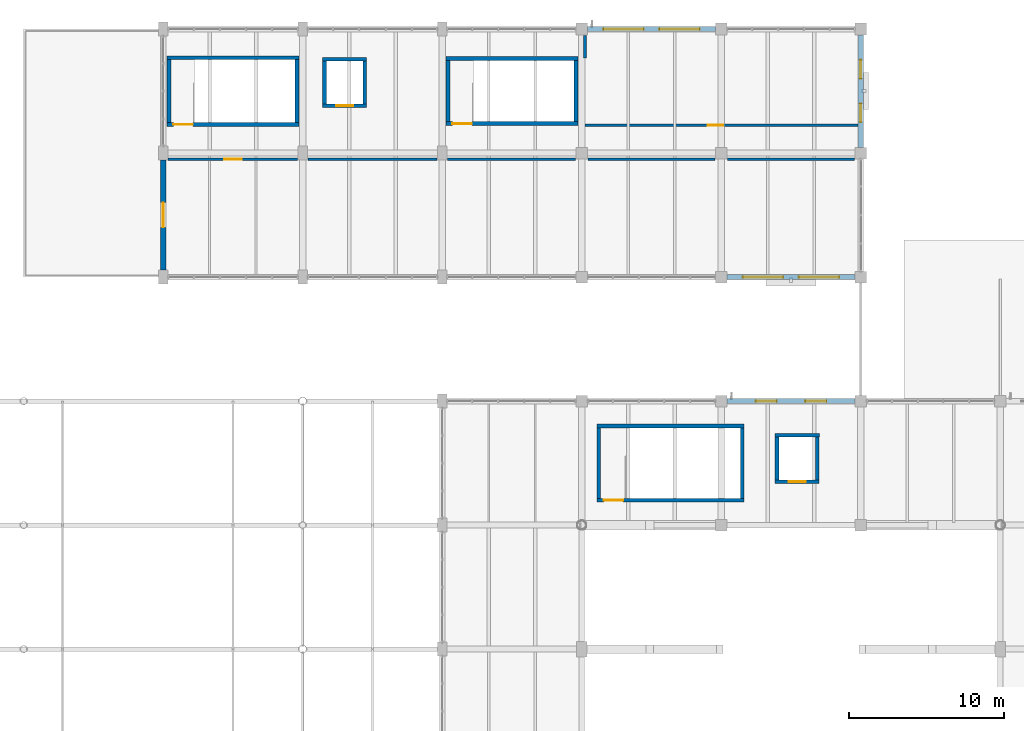
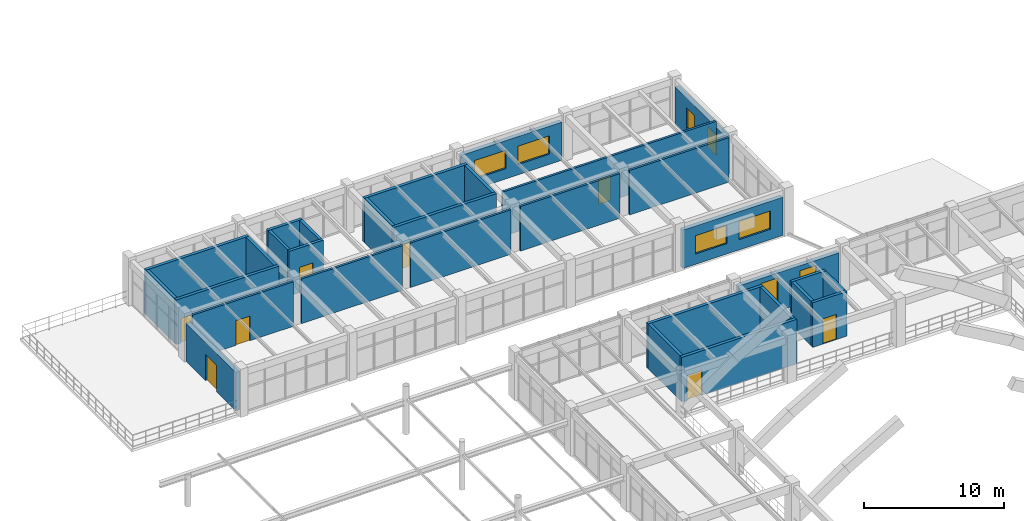
# One storey, part 126 of 148: 32 walls, 8 doors, 8 windows, 16 openings.
"""IFC4 building model written with IfcOpenShell, lengths in metres."""

from ifc_helpers import new_model, si_unit, derived_unit, direction, frame, frame_2d, origin, place, context, subcontext, project, spatial, rectangle, extrude, material, layer, layer_set, type_object, element, fill, save


model = new_model("IFC4")

# Units and contexts
model_context = context("Model", 3, precision=1e-05, world=origin(), true_north=direction((0.0, 1.0)))
body_context = subcontext(model_context, "Body", "Model", "MODEL_VIEW")
ifc_project = project(units=[si_unit("LENGTHUNIT", "METRE"), si_unit("AREAUNIT", "SQUARE_METRE"), si_unit("VOLUMEUNIT", "CUBIC_METRE"), si_unit("PLANEANGLEUNIT", "RADIAN"), si_unit("MASSUNIT", "GRAM", prefix="KILO"), derived_unit("THERMALTRANSMITTANCEUNIT", [(si_unit("MASSUNIT", "GRAM", prefix="KILO"), 1), (si_unit("TIMEUNIT", "SECOND"), -3), (si_unit("THERMODYNAMICTEMPERATUREUNIT", "KELVIN"), -1)])], contexts=[model_context])

# Site, building, storey
site_placement = place(None, origin())
site = spatial("IfcSite", under=ifc_project, at=site_placement, CompositionType="ELEMENT")
building_placement = place(site_placement, origin())
building = spatial("IfcBuilding", under=site, at=building_placement, Name="Zhenchuan Archway Interchange", CompositionType="ELEMENT")
storey_placement = place(building_placement, frame((0.0, 0.0, 10.199951171875)))
storey = spatial("IfcBuildingStorey", under=building, at=storey_placement, Name="L02", CompositionType="ELEMENT", Elevation=10.199951171875)

# Wall, openings, windows
ifc_material_1 = material(Name="Terracotta Masonry", Category="masonry")
ifc_layer_1 = layer(ifc_material_1, 0.340087890625)
ifc_layer_set_1 = layer_set([ifc_layer_1], Name="Terracotta Masonry")
wall_type_1 = type_object("IfcWallType", Name="EW_TERRA_340", PredefinedType="STANDARD", material=ifc_layer_set_1)
wall_1_placement = place(storey_placement, frame((45.373046875, 88.0, 0.0), z_axis=(0.0, 0.0, 1.0), x_axis=(1.0, 0.0, 0.0)))
wall_1 = element("IfcWall", 1, at=wall_1_placement, inside=storey, type_object=wall_type_1, Name="Exterior wall L02-015", PredefinedType="STANDARD", context=body_context, shape_type="SweptSolid", body=[
    extrude(rectangle(XDim=8.25390625, YDim=0.340087890625, at=frame_2d((4.126953125, 0.0))), origin(), (0.0, 0.0, 1.0), 3.340087890625),
])
opening_1_placement = place(wall_1_placement, frame((1.851318359375, 0.0, 0.89990234375)))
opening_1 = element("IfcOpeningElement", 2, at=opening_1_placement, cuts=wall_1, Name="Opening W-06", PredefinedType="OPENING", context=body_context, shape_type="SweptSolid", body=[
    extrude(rectangle(XDim=1.35009765625, YDim=2.0, at=frame_2d((0.675048828125, 1.0))), frame((0.0, 0.18212890625, 0.0), z_axis=(0.0, -1.0, 0.0), x_axis=(1.0, 0.0, 0.0)), (0.0, 0.0, 1.0), 0.364013671875),
])
opening_2_placement = place(wall_1_placement, frame((5.052734375, 0.0, 0.89990234375)))
opening_2 = element("IfcOpeningElement", 3, at=opening_2_placement, cuts=wall_1, Name="Opening W-06", PredefinedType="OPENING", context=body_context, shape_type="SweptSolid", body=[
    extrude(rectangle(XDim=1.35009765625, YDim=2.0, at=frame_2d((0.675048828125, 1.0))), frame((0.0, 0.18212890625, 0.0), z_axis=(0.0, -1.0, 0.0), x_axis=(1.0, 0.0, 0.0)), (0.0, 0.0, 1.0), 0.364013671875),
])
ifc_material_2 = material(Name="Double Low-E Insulated Glazing", Category="glass")
window_type_1 = type_object("IfcWindowType", Name="WN_MOD_1350x2000", PartitioningType="SINGLE_PANEL", PredefinedType="WINDOW", material=ifc_material_2)
window_1_placement = place(opening_1_placement, origin())
window_1 = element("IfcWindow", 4, at=window_1_placement, inside=storey, type_object=window_type_1, Name="Window L02-0196", OverallHeight=2.0, OverallWidth=1.35009765625, PartitioningType="SINGLE_PANEL", PredefinedType="WINDOW", context=body_context, shape_type="SweptSolid", body=[
    extrude(rectangle(XDim=1.35009765625, YDim=2.0, at=frame_2d((0.675048828125, 1.0))), frame((0.0, 0.030029296875, 0.0), z_axis=(0.0, -1.0, 0.0), x_axis=(1.0, 0.0, 0.0)), (0.0, 0.0, 1.0), 0.06005859375),
])
fill(opening_1, window_1)
window_2_placement = place(opening_2_placement, origin())
window_2 = element("IfcWindow", 5, at=window_2_placement, inside=storey, type_object=window_type_1, Name="Window L02-0197", OverallHeight=2.0, OverallWidth=1.35009765625, PartitioningType="SINGLE_PANEL", PredefinedType="WINDOW", context=body_context, shape_type="SweptSolid", body=[
    extrude(rectangle(XDim=1.35009765625, YDim=2.0, at=frame_2d((0.675048828125, 1.0))), frame((0.0, 0.030029296875, 0.0), z_axis=(0.0, -1.0, 0.0), x_axis=(1.0, 0.0, 0.0)), (0.0, 0.0, 1.0), 0.06005859375),
])
fill(opening_2, window_2)

wall_2_placement = place(storey_placement, frame((53.626953125, 96.0, 0.0), z_axis=(0.0, 0.0, 1.0), x_axis=(-1.0, 0.0, 0.0)))
wall_2 = element("IfcWall", 6, at=wall_2_placement, inside=storey, type_object=wall_type_1, Name="Exterior wall L02-057", PredefinedType="STANDARD", context=body_context, shape_type="SweptSolid", body=[
    extrude(rectangle(XDim=8.25390625, YDim=0.340087890625, at=frame_2d((4.126953125, 0.0))), origin(), (0.0, 0.0, 1.0), 3.340087890625),
])
opening_3_placement = place(wall_2_placement, frame((1.01806640625, 0.0, 0.89990234375)))
opening_3 = element("IfcOpeningElement", 7, at=opening_3_placement, cuts=wall_2, Name="Opening W-09", PredefinedType="OPENING", context=body_context, shape_type="SweptSolid", body=[
    extrude(rectangle(XDim=2.60009765625, YDim=1.60009765625, at=frame_2d((1.300048828125, 0.800048828125))), frame((0.0, 0.18212890625, 0.0), z_axis=(0.0, -1.0, 0.0), x_axis=(1.0, 0.0, 0.0)), (0.0, 0.0, 1.0), 0.364013671875),
])
opening_4_placement = place(wall_2_placement, frame((4.635986328125, 0.0, 0.89990234375)))
opening_4 = element("IfcOpeningElement", 8, at=opening_4_placement, cuts=wall_2, Name="Opening W-09", PredefinedType="OPENING", context=body_context, shape_type="SweptSolid", body=[
    extrude(rectangle(XDim=2.60009765625, YDim=1.60009765625, at=frame_2d((1.300048828125, 0.800048828125))), frame((0.0, 0.18212890625, 0.0), z_axis=(0.0, -1.0, 0.0), x_axis=(1.0, 0.0, 0.0)), (0.0, 0.0, 1.0), 0.364013671875),
])
window_type_2 = type_object("IfcWindowType", Name="WN_MOD_2600x1600", PartitioningType="SINGLE_PANEL", PredefinedType="WINDOW", material=ifc_material_2)
window_3_placement = place(opening_3_placement, origin())
window_3 = element("IfcWindow", 9, at=window_3_placement, inside=storey, type_object=window_type_2, Name="Window L02-0212", OverallHeight=1.60009765625, OverallWidth=2.60009765625, PartitioningType="SINGLE_PANEL", PredefinedType="WINDOW", context=body_context, shape_type="SweptSolid", body=[
    extrude(rectangle(XDim=2.60009765625, YDim=1.60009765625, at=frame_2d((1.300048828125, 0.800048828125))), frame((0.0, 0.030029296875, 0.0), z_axis=(0.0, -1.0, 0.0), x_axis=(1.0, 0.0, 0.0)), (0.0, 0.0, 1.0), 0.06005859375),
])
fill(opening_3, window_3)
window_4_placement = place(opening_4_placement, origin())
window_4 = element("IfcWindow", 10, at=window_4_placement, inside=storey, type_object=window_type_2, Name="Window L02-0213", OverallHeight=1.60009765625, OverallWidth=2.60009765625, PartitioningType="SINGLE_PANEL", PredefinedType="WINDOW", context=body_context, shape_type="SweptSolid", body=[
    extrude(rectangle(XDim=2.60009765625, YDim=1.60009765625, at=frame_2d((1.300048828125, 0.800048828125))), frame((0.0, 0.030029296875, 0.0), z_axis=(0.0, -1.0, 0.0), x_axis=(1.0, 0.0, 0.0)), (0.0, 0.0, 1.0), 0.06005859375),
])
fill(opening_4, window_4)

# Wall, opening, door
wall_3_placement = place(storey_placement, frame((9.0, 96.447998046875, 0.0), z_axis=(0.0, 0.0, 1.0), x_axis=(0.0, 1.0, 0.0)))
wall_3 = element("IfcWall", 11, at=wall_3_placement, inside=storey, type_object=wall_type_1, Name="Exterior wall L02-062", PredefinedType="STANDARD", context=body_context, shape_type="SweptSolid", body=[
    extrude(rectangle(XDim=7.10400390625, YDim=0.340087890625, at=frame_2d((3.552001953125, 0.0))), origin(), (0.0, 0.0, 1.0), 3.340087890625),
])
opening_5_placement = place(wall_3_placement, frame((2.751953125, 0.0, 0.0)))
opening_5 = element("IfcOpeningElement", 12, at=opening_5_placement, cuts=wall_3, Name="Opening ED-05", PredefinedType="OPENING", context=body_context, shape_type="SweptSolid", body=[
    extrude(rectangle(XDim=1.60009765625, YDim=2.300048828125, at=frame_2d((0.800048828125, 1.14990234375))), frame((0.0, 0.18212890625, 0.0), z_axis=(0.0, -1.0, 0.0), x_axis=(1.0, 0.0, 0.0)), (0.0, 0.0, 1.0), 0.364013671875),
])
ifc_material_3 = material(Name="Anodised Aluminium", Category="aluminium")
door_type_1 = type_object("IfcDoorType", Name="ED_TERR_1600x2300", OperationType="DOUBLE_DOOR_SINGLE_SWING", PredefinedType="DOOR", material=ifc_material_3)
door_1_placement = place(opening_5_placement, origin())
door_1 = element("IfcDoor", 13, at=door_1_placement, inside=storey, type_object=door_type_1, Name="Exterior entrance door L02-040", OperationType="SINGLE_SWING_LEFT", OverallHeight=2.300048828125, OverallWidth=1.60009765625, PredefinedType="DOOR", context=body_context, shape_type="SweptSolid", body=[
    extrude(rectangle(XDim=1.60009765625, YDim=2.300048828125, at=frame_2d((0.800048828125, 1.14990234375))), frame((0.0, 0.02490234375, 0.0), z_axis=(0.0, -1.0, 0.0), x_axis=(1.0, 0.0, 0.0)), (0.0, 0.0, 1.0), 0.050048828125),
])
fill(opening_5, door_1)

# Wall, openings, windows
wall_4_placement = place(storey_placement, frame((36.373046875, 112.0, 0.0), z_axis=(0.0, 0.0, 1.0), x_axis=(1.0, 0.0, 0.0)))
wall_4 = element("IfcWall", 14, at=wall_4_placement, inside=storey, type_object=wall_type_1, Name="Exterior wall L02-067", PredefinedType="STANDARD", context=body_context, shape_type="SweptSolid", body=[
    extrude(rectangle(XDim=8.25390625, YDim=0.340087890625, at=frame_2d((4.126953125, 0.0))), origin(), (0.0, 0.0, 1.0), 3.340087890625),
])
opening_6_placement = place(wall_4_placement, frame((1.01806640625, 0.0, 0.89990234375)))
opening_6 = element("IfcOpeningElement", 15, at=opening_6_placement, cuts=wall_4, Name="Opening W-09", PredefinedType="OPENING", context=body_context, shape_type="SweptSolid", body=[
    extrude(rectangle(XDim=2.60009765625, YDim=1.60009765625, at=frame_2d((1.300048828125, 0.800048828125))), frame((0.0, 0.18212890625, 0.0), z_axis=(0.0, -1.0, 0.0), x_axis=(1.0, 0.0, 0.0)), (0.0, 0.0, 1.0), 0.364013671875),
])
opening_7_placement = place(wall_4_placement, frame((4.635986328125, 0.0, 0.89990234375)))
opening_7 = element("IfcOpeningElement", 16, at=opening_7_placement, cuts=wall_4, Name="Opening W-09", PredefinedType="OPENING", context=body_context, shape_type="SweptSolid", body=[
    extrude(rectangle(XDim=2.60009765625, YDim=1.60009765625, at=frame_2d((1.300048828125, 0.800048828125))), frame((0.0, 0.18212890625, 0.0), z_axis=(0.0, -1.0, 0.0), x_axis=(1.0, 0.0, 0.0)), (0.0, 0.0, 1.0), 0.364013671875),
])
window_5_placement = place(opening_6_placement, origin())
window_5 = element("IfcWindow", 17, at=window_5_placement, inside=storey, type_object=window_type_2, Name="Window L02-0214", OverallHeight=1.60009765625, OverallWidth=2.60009765625, PartitioningType="SINGLE_PANEL", PredefinedType="WINDOW", context=body_context, shape_type="SweptSolid", body=[
    extrude(rectangle(XDim=2.60009765625, YDim=1.60009765625, at=frame_2d((1.300048828125, 0.800048828125))), frame((0.0, 0.030029296875, 0.0), z_axis=(0.0, -1.0, 0.0), x_axis=(1.0, 0.0, 0.0)), (0.0, 0.0, 1.0), 0.06005859375),
])
fill(opening_6, window_5)
window_6_placement = place(opening_7_placement, origin())
window_6 = element("IfcWindow", 18, at=window_6_placement, inside=storey, type_object=window_type_2, Name="Window L02-0215", OverallHeight=1.60009765625, OverallWidth=2.60009765625, PartitioningType="SINGLE_PANEL", PredefinedType="WINDOW", context=body_context, shape_type="SweptSolid", body=[
    extrude(rectangle(XDim=2.60009765625, YDim=1.60009765625, at=frame_2d((1.300048828125, 0.800048828125))), frame((0.0, 0.030029296875, 0.0), z_axis=(0.0, -1.0, 0.0), x_axis=(1.0, 0.0, 0.0)), (0.0, 0.0, 1.0), 0.06005859375),
])
fill(opening_7, window_6)

wall_5_placement = place(storey_placement, frame((54.0, 111.626953125, 0.0), z_axis=(0.0, 0.0, 1.0), x_axis=(0.0, -1.0, 0.0)))
wall_5 = element("IfcWall", 19, at=wall_5_placement, inside=storey, type_object=wall_type_1, Name="Exterior wall L02-069", PredefinedType="STANDARD", context=body_context, shape_type="SweptSolid", body=[
    extrude(rectangle(XDim=7.25390625, YDim=0.340087890625, at=frame_2d((3.626953125, 0.0))), origin(), (0.0, 0.0, 1.0), 3.340087890625),
])
opening_8_placement = place(wall_5_placement, frame((1.617919921875, 0.0, 0.699951171875)))
opening_8 = element("IfcOpeningElement", 20, at=opening_8_placement, cuts=wall_5, Name="Opening W-07", PredefinedType="OPENING", context=body_context, shape_type="SweptSolid", body=[
    extrude(rectangle(XDim=1.199951171875, YDim=1.800048828125, at=frame_2d((0.60009765625, 0.89990234375))), frame((0.0, 0.18212890625, 0.0), z_axis=(0.0, -1.0, 0.0), x_axis=(1.0, 0.0, 0.0)), (0.0, 0.0, 1.0), 0.364013671875),
])
opening_9_placement = place(wall_5_placement, frame((4.43603515625, 0.0, 0.699951171875)))
opening_9 = element("IfcOpeningElement", 21, at=opening_9_placement, cuts=wall_5, Name="Opening W-07", PredefinedType="OPENING", context=body_context, shape_type="SweptSolid", body=[
    extrude(rectangle(XDim=1.199951171875, YDim=1.800048828125, at=frame_2d((0.60009765625, 0.89990234375))), frame((0.0, 0.18212890625, 0.0), z_axis=(0.0, -1.0, 0.0), x_axis=(1.0, 0.0, 0.0)), (0.0, 0.0, 1.0), 0.364013671875),
])
window_type_3 = type_object("IfcWindowType", Name="WN_MOD_1200x1800", PartitioningType="SINGLE_PANEL", PredefinedType="WINDOW", material=ifc_material_2)
window_7_placement = place(opening_8_placement, origin())
window_7 = element("IfcWindow", 22, at=window_7_placement, inside=storey, type_object=window_type_3, Name="Window L02-0216", OverallHeight=1.800048828125, OverallWidth=1.199951171875, PartitioningType="SINGLE_PANEL", PredefinedType="WINDOW", context=body_context, shape_type="SweptSolid", body=[
    extrude(rectangle(XDim=1.199951171875, YDim=1.800048828125, at=frame_2d((0.60009765625, 0.89990234375))), frame((0.0, 0.030029296875, 0.0), z_axis=(0.0, -1.0, 0.0), x_axis=(1.0, 0.0, 0.0)), (0.0, 0.0, 1.0), 0.06005859375),
])
fill(opening_8, window_7)
window_8_placement = place(opening_9_placement, origin())
window_8 = element("IfcWindow", 23, at=window_8_placement, inside=storey, type_object=window_type_3, Name="Window L02-0217", OverallHeight=1.800048828125, OverallWidth=1.199951171875, PartitioningType="SINGLE_PANEL", PredefinedType="WINDOW", context=body_context, shape_type="SweptSolid", body=[
    extrude(rectangle(XDim=1.199951171875, YDim=1.800048828125, at=frame_2d((0.60009765625, 0.89990234375))), frame((0.0, 0.030029296875, 0.0), z_axis=(0.0, -1.0, 0.0), x_axis=(1.0, 0.0, 0.0)), (0.0, 0.0, 1.0), 0.06005859375),
])
fill(opening_9, window_8)

# Wall, opening, door
ifc_material_4 = material(Name="Concrete C40", Category="concrete")
ifc_layer_2 = layer(ifc_material_4, 0.239990234375)
ifc_layer_set_2 = layer_set([ifc_layer_2], Name="Concrete C40")
wall_type_2 = type_object("IfcWallType", Name="WL_LIFT_240", PredefinedType="SHEAR", material=ifc_layer_set_2)
wall_6_placement = place(storey_placement, frame((48.47998046875, 82.800048828125, 0.0), z_axis=(0.0, 0.0, 1.0), x_axis=(1.0, 0.0, 0.0)))
wall_6 = element("IfcWall", 24, at=wall_6_placement, inside=storey, type_object=wall_type_2, Name="Lift LF-02 south shaft wall (L02)", PredefinedType="SHEAR", context=body_context, shape_type="SweptSolid", body=[
    extrude(rectangle(XDim=2.840087890625, YDim=0.239990234375, at=frame_2d((1.419921875, 0.0))), origin(), (0.0, 0.0, 1.0), 3.89013671875),
])
opening_10_placement = place(wall_6_placement, frame((0.8701171875, 0.0, 0.0)))
opening_10 = element("IfcOpeningElement", 25, at=opening_10_placement, cuts=wall_6, Name="Opening LD-01", PredefinedType="OPENING", context=body_context, shape_type="SweptSolid", body=[
    extrude(rectangle(XDim=1.10009765625, YDim=2.199951171875, at=frame_2d((0.550048828125, 1.10009765625))), frame((0.0, 0.1318359375, 0.0), z_axis=(0.0, -1.0, 0.0), x_axis=(1.0, 0.0, 0.0)), (0.0, 0.0, 1.0), 0.263916015625),
])
ifc_material_5 = material(Name="Stainless Steel 304", Category="steel")
door_type_2 = type_object("IfcDoorType", Name="DR_LIFT_LD110", OperationType="DOUBLE_DOOR_SLIDING", PredefinedType="DOOR", material=ifc_material_5)
door_2_placement = place(opening_10_placement, origin())
door_2 = element("IfcDoor", 26, at=door_2_placement, inside=storey, type_object=door_type_2, Name="Lift LF-02 landing door (L02)", OperationType="DOUBLE_DOOR_SLIDING", OverallHeight=2.199951171875, OverallWidth=1.10009765625, PredefinedType="DOOR", context=body_context, shape_type="SweptSolid", body=[
    extrude(rectangle(XDim=1.10009765625, YDim=2.199951171875, at=frame_2d((0.550048828125, 1.10009765625))), frame((0.0, 0.02490234375, 0.0), z_axis=(0.0, -1.0, 0.0), x_axis=(1.0, 0.0, 0.0)), (0.0, 0.0, 1.0), 0.050048828125),
])
fill(opening_10, door_2)

# Walls
wall_7_placement = place(storey_placement, frame((51.320068359375, 85.800048828125, 0.0), z_axis=(0.0, 0.0, 1.0), x_axis=(-1.0, 0.0, 0.0)))
element("IfcWall", 27, at=wall_7_placement, inside=storey, type_object=wall_type_2, Name="Lift LF-02 north shaft wall (L02)", PredefinedType="SHEAR", context=body_context, shape_type="SweptSolid", body=[
    extrude(rectangle(XDim=2.840087890625, YDim=0.239990234375, at=frame_2d((1.419921875, 0.0))), origin(), (0.0, 0.0, 1.0), 3.89013671875),
])
for number, where, z_axis, x_axis, name in (
    (28, (48.60009765625, 85.679931640625, 0.0), (0.0, 0.0, 1.0), (0.0, -1.0, 0.0), "Lift LF-02 west shaft wall (L02)"),
    (29, (51.199951171875, 82.919921875, 0.0), (0.0, 0.0, 1.0), (0.0, 1.0, 0.0), "Lift LF-02 east shaft wall (L02)"),
):
    element("IfcWall", number, at=place(storey_placement, frame(where, z_axis=z_axis, x_axis=x_axis)), inside=storey, type_object=wall_type_2, Name=name, PredefinedType="SHEAR", context=body_context, shape_type="SweptSolid", body=[
        extrude(rectangle(XDim=2.760009765625, YDim=0.239990234375, at=frame_2d((1.3798828125, 0.0))), origin(), (0.0, 0.0, 1.0), 3.89013671875),
    ])

# Wall, opening, door
wall_8_placement = place(storey_placement, frame((19.280029296875, 107.050048828125, 0.0), z_axis=(0.0, 0.0, 1.0), x_axis=(1.0, 0.0, 0.0)))
wall_8 = element("IfcWall", 30, at=wall_8_placement, inside=storey, type_object=wall_type_2, Name="Lift LF-04 south shaft wall (L02)", PredefinedType="SHEAR", context=body_context, shape_type="SweptSolid", body=[
    extrude(rectangle(XDim=2.840087890625, YDim=0.239990234375, at=frame_2d((1.419921875, 0.0))), origin(), (0.0, 0.0, 1.0), 3.89013671875),
])
opening_11_placement = place(wall_8_placement, frame((0.8701171875, 0.0, 0.0)))
opening_11 = element("IfcOpeningElement", 31, at=opening_11_placement, cuts=wall_8, Name="Opening LD-01", PredefinedType="OPENING", context=body_context, shape_type="SweptSolid", body=[
    extrude(rectangle(XDim=1.10009765625, YDim=2.199951171875, at=frame_2d((0.550048828125, 1.10009765625))), frame((0.0, 0.1318359375, 0.0), z_axis=(0.0, -1.0, 0.0), x_axis=(1.0, 0.0, 0.0)), (0.0, 0.0, 1.0), 0.263916015625),
])
door_3_placement = place(opening_11_placement, origin())
door_3 = element("IfcDoor", 32, at=door_3_placement, inside=storey, type_object=door_type_2, Name="Lift LF-04 landing door (L02)", OperationType="DOUBLE_DOOR_SLIDING", OverallHeight=2.199951171875, OverallWidth=1.10009765625, PredefinedType="DOOR", context=body_context, shape_type="SweptSolid", body=[
    extrude(rectangle(XDim=1.10009765625, YDim=2.199951171875, at=frame_2d((0.550048828125, 1.10009765625))), frame((0.0, 0.02490234375, 0.0), z_axis=(0.0, -1.0, 0.0), x_axis=(1.0, 0.0, 0.0)), (0.0, 0.0, 1.0), 0.050048828125),
])
fill(opening_11, door_3)

# Walls
wall_9_placement = place(storey_placement, frame((22.1201171875, 110.050048828125, 0.0), z_axis=(0.0, 0.0, 1.0), x_axis=(-1.0, 0.0, 0.0)))
element("IfcWall", 33, at=wall_9_placement, inside=storey, type_object=wall_type_2, Name="Lift LF-04 north shaft wall (L02)", PredefinedType="SHEAR", context=body_context, shape_type="SweptSolid", body=[
    extrude(rectangle(XDim=2.840087890625, YDim=0.239990234375, at=frame_2d((1.419921875, 0.0))), origin(), (0.0, 0.0, 1.0), 3.89013671875),
])
for number, where, z_axis, x_axis, name in (
    (34, (19.39990234375, 109.929931640625, 0.0), (0.0, 0.0, 1.0), (0.0, -1.0, 0.0), "Lift LF-04 west shaft wall (L02)"),
    (35, (22.0, 107.169921875, 0.0), (0.0, 0.0, 1.0), (0.0, 1.0, 0.0), "Lift LF-04 east shaft wall (L02)"),
):
    element("IfcWall", number, at=place(storey_placement, frame(where, z_axis=z_axis, x_axis=x_axis)), inside=storey, type_object=wall_type_2, Name=name, PredefinedType="SHEAR", context=body_context, shape_type="SweptSolid", body=[
        extrude(rectangle(XDim=2.760009765625, YDim=0.239990234375, at=frame_2d((1.3798828125, 0.0))), origin(), (0.0, 0.0, 1.0), 3.89013671875),
    ])

# Wall, opening, door
ifc_material_6 = material(Name="Concrete Block Masonry", Category="masonry")
ifc_layer_3 = layer(ifc_material_6, 0.179931640625)
ifc_layer_set_3 = layer_set([ifc_layer_3], Name="Concrete Block Masonry")
wall_type_3 = type_object("IfcWallType", Name="WL_PART_180", PredefinedType="STANDARD", material=ifc_layer_set_3)
wall_10_placement = place(storey_placement, frame((9.324951171875, 103.60009765625, 0.0), z_axis=(0.0, 0.0, 1.0), x_axis=(1.0, 0.0, 0.0)))
wall_10 = element("IfcWall", 36, at=wall_10_placement, inside=storey, type_object=wall_type_3, Name="Regional Bus Fleet Charter Suite N partition (L02)", PredefinedType="STANDARD", context=body_context, shape_type="SweptSolid", body=[
    extrude(rectangle(XDim=8.35009765625, YDim=0.179931640625, at=frame_2d((4.175048828125, 0.0))), origin(), (0.0, 0.0, 1.0), 3.89013671875),
])
opening_12_placement = place(wall_10_placement, frame((3.60009765625, 0.0, 0.0)))
opening_12 = element("IfcOpeningElement", 37, at=opening_12_placement, cuts=wall_10, Name="Opening ID-06", PredefinedType="OPENING", context=body_context, shape_type="SweptSolid", body=[
    extrude(rectangle(XDim=1.14990234375, YDim=2.14990234375, at=frame_2d((0.574951171875, 1.074951171875))), frame((0.0, 0.10205078125, 0.0), z_axis=(0.0, -1.0, 0.0), x_axis=(1.0, 0.0, 0.0)), (0.0, 0.0, 1.0), 0.203857421875),
])
ifc_material_7 = material(Name="Hardwood Timber", Category="wood")
door_type_3 = type_object("IfcDoorType", Name="DR_CTRL_115", OperationType="NOTDEFINED", PredefinedType="DOOR", material=ifc_material_7)
door_4_placement = place(opening_12_placement, origin())
door_4 = element("IfcDoor", 38, at=door_4_placement, inside=storey, type_object=door_type_3, Name="Regional Bus Fleet Charter Suite door (L02)", OperationType="SINGLE_SWING_LEFT", OverallHeight=2.14990234375, OverallWidth=1.14990234375, PredefinedType="DOOR", context=body_context, shape_type="SweptSolid", body=[
    extrude(rectangle(XDim=1.14990234375, YDim=2.14990234375, at=frame_2d((0.574951171875, 1.074951171875))), frame((0.0, 0.02490234375, 0.0), z_axis=(0.0, -1.0, 0.0), x_axis=(1.0, 0.0, 0.0)), (0.0, 0.0, 1.0), 0.050048828125),
])
fill(opening_12, door_4)

# Walls
wall_11_placement = place(storey_placement, frame((18.324951171875, 103.60009765625, 0.0), z_axis=(0.0, 0.0, 1.0), x_axis=(1.0, 0.0, 0.0)))
element("IfcWall", 39, at=wall_11_placement, inside=storey, type_object=wall_type_3, Name="Regional Bus Fleet Charter Suite N partition (L02)", PredefinedType="STANDARD", context=body_context, shape_type="SweptSolid", body=[
    extrude(rectangle(XDim=8.35009765625, YDim=0.179931640625, at=frame_2d((4.175048828125, 0.0))), origin(), (0.0, 0.0, 1.0), 3.89013671875),
])
wall_12_placement = place(storey_placement, frame((27.324951171875, 103.60009765625, 0.0), z_axis=(0.0, 0.0, 1.0), x_axis=(1.0, 0.0, 0.0)))
element("IfcWall", 40, at=wall_12_placement, inside=storey, type_object=wall_type_3, Name="Regional Bus Fleet Charter Suite N partition (L02)", PredefinedType="STANDARD", context=body_context, shape_type="SweptSolid", body=[
    extrude(rectangle(XDim=8.275146484375, YDim=0.179931640625, at=frame_2d((4.1376953125, 0.0))), origin(), (0.0, 0.0, 1.0), 3.89013671875),
])
for number, where, z_axis, x_axis, name in (
    (41, (36.39990234375, 103.60009765625, 0.0), (0.0, 0.0, 1.0), (1.0, 0.0, 0.0), "Regional Bus Fleet Charter Suite N partition (L02)"),
    (42, (45.39990234375, 103.60009765625, 0.0), (0.0, 0.0, 1.0), (1.0, 0.0, 0.0), "Regional Bus Fleet Charter Suite N partition (L02)"),
):
    element("IfcWall", number, at=place(storey_placement, frame(where, z_axis=z_axis, x_axis=x_axis)), inside=storey, type_object=wall_type_3, Name=name, PredefinedType="STANDARD", context=body_context, shape_type="SweptSolid", body=[
        extrude(rectangle(XDim=8.2001953125, YDim=0.179931640625, at=frame_2d((4.10009765625, 0.0))), origin(), (0.0, 0.0, 1.0), 3.89013671875),
    ])

# Wall, opening, door
wall_13_placement = place(storey_placement, frame((36.199951171875, 105.800048828125, 0.0), z_axis=(0.0, 0.0, 1.0), x_axis=(1.0, 0.0, 0.0)))
wall_13 = element("IfcWall", 43, at=wall_13_placement, inside=storey, type_object=wall_type_3, Name="Regional Coach Crew Rest Room S partition (L02)", PredefinedType="STANDARD", context=body_context, shape_type="SweptSolid", body=[
    extrude(rectangle(XDim=17.625, YDim=0.179931640625, at=frame_2d((8.8125, 0.0))), origin(), (0.0, 0.0, 1.0), 3.89013671875),
])
opening_13_placement = place(wall_13_placement, frame((7.92138671875, 0.0, 0.0)))
opening_13 = element("IfcOpeningElement", 44, at=opening_13_placement, cuts=wall_13, Name="Opening ID-02", PredefinedType="OPENING", context=body_context, shape_type="SweptSolid", body=[
    extrude(rectangle(XDim=1.0, YDim=2.10009765625, at=frame_2d((0.5, 1.050048828125))), frame((0.0, 0.10205078125, 0.0), z_axis=(0.0, -1.0, 0.0), x_axis=(1.0, 0.0, 0.0)), (0.0, 0.0, 1.0), 0.203857421875),
])
door_type_4 = type_object("IfcDoorType", Name="DR_OPS_100", OperationType="NOTDEFINED", PredefinedType="DOOR", material=ifc_material_7)
door_5_placement = place(opening_13_placement, origin())
door_5 = element("IfcDoor", 45, at=door_5_placement, inside=storey, type_object=door_type_4, Name="Regional Coach Crew Rest Room door (L02)", OperationType="SINGLE_SWING_RIGHT", OverallHeight=2.10009765625, OverallWidth=1.0, PredefinedType="DOOR", context=body_context, shape_type="SweptSolid", body=[
    extrude(rectangle(XDim=1.0, YDim=2.10009765625, at=frame_2d((0.5, 1.050048828125))), frame((0.0, 0.02490234375, 0.0), z_axis=(0.0, -1.0, 0.0), x_axis=(1.0, 0.0, 0.0)), (0.0, 0.0, 1.0), 0.050048828125),
])
fill(opening_13, door_5)

# Wall
wall_14_placement = place(storey_placement, frame((36.199951171875, 110.125, 0.0), z_axis=(0.0, 0.0, 1.0), x_axis=(0.0, 1.0, 0.0)))
element("IfcWall", 46, at=wall_14_placement, inside=storey, type_object=wall_type_3, Name="Regional Coach Crew Rest Room W partition (L02)", PredefinedType="STANDARD", context=body_context, shape_type="SweptSolid", body=[
    extrude(rectangle(XDim=1.47509765625, YDim=0.179931640625, at=frame_2d((0.737548828125, 0.0))), origin(), (0.0, 0.0, 1.0), 3.340087890625),
])

# Wall, opening, door
ifc_layer_4 = layer(ifc_material_4, 0.25)
ifc_layer_set_4 = layer_set([ifc_layer_4], Name="Concrete C40")
wall_type_4 = type_object("IfcWallType", Name="WL_STAIR_250", PredefinedType="SHEAR", material=ifc_layer_set_4)
wall_15_placement = place(storey_placement, frame((36.97509765625, 81.60009765625, 0.0), z_axis=(0.0, 0.0, 1.0), x_axis=(1.0, 0.0, 0.0)))
wall_15 = element("IfcWall", 47, at=wall_15_placement, inside=storey, type_object=wall_type_4, Name="Stair ST-M2 south wall (L02)", PredefinedType="SHEAR", context=body_context, shape_type="SweptSolid", body=[
    extrude(rectangle(XDim=9.5, YDim=0.25, at=frame_2d((4.75, 0.0))), origin(), (0.0, 0.0, 1.0), 3.89013671875),
])
opening_14_placement = place(wall_15_placement, frame((0.445068359375, 0.0, 0.0)))
opening_14 = element("IfcOpeningElement", 48, at=opening_14_placement, cuts=wall_15, Name="Opening FD-01", PredefinedType="OPENING", context=body_context, shape_type="SweptSolid", body=[
    extrude(rectangle(XDim=1.25, YDim=2.14990234375, at=frame_2d((0.625, 1.074951171875))), frame((0.0, 0.136962890625, 0.0), z_axis=(0.0, -1.0, 0.0), x_axis=(1.0, 0.0, 0.0)), (0.0, 0.0, 1.0), 0.27392578125),
])
ifc_material_8 = material(Name="Painted Galvanised Steel", Category="steel")
door_type_5 = type_object("IfcDoorType", Name="DR_STAIR_FD90", OperationType="NOTDEFINED", PredefinedType="DOOR", material=ifc_material_8)
door_6_placement = place(opening_14_placement, origin())
door_6 = element("IfcDoor", 49, at=door_6_placement, inside=storey, type_object=door_type_5, Name="Stair ST-M2 fire door (L02)", OperationType="SINGLE_SWING_RIGHT", OverallHeight=2.14990234375, OverallWidth=1.25, PredefinedType="DOOR", context=body_context, shape_type="SweptSolid", body=[
    extrude(rectangle(XDim=1.25, YDim=2.14990234375, at=frame_2d((0.625, 1.074951171875))), frame((0.0, 0.02490234375, 0.0), z_axis=(0.0, -1.0, 0.0), x_axis=(1.0, 0.0, 0.0)), (0.0, 0.0, 1.0), 0.050048828125),
])
fill(opening_14, door_6)

# Walls
wall_16_placement = place(storey_placement, frame((46.47509765625, 86.39990234375, 0.0), z_axis=(0.0, 0.0, 1.0), x_axis=(-1.0, 0.0, 0.0)))
element("IfcWall", 50, at=wall_16_placement, inside=storey, type_object=wall_type_4, Name="Stair ST-M2 north wall (L02)", PredefinedType="SHEAR", context=body_context, shape_type="SweptSolid", body=[
    extrude(rectangle(XDim=9.5, YDim=0.25, at=frame_2d((4.75, 0.0))), origin(), (0.0, 0.0, 1.0), 3.89013671875),
])
for number, where, z_axis, x_axis, name in (
    (51, (37.10009765625, 86.27490234375, 0.0), (0.0, 0.0, 1.0), (0.0, -1.0, 0.0), "Stair ST-M2 west wall (L02)"),
    (52, (46.35009765625, 81.72509765625, 0.0), (0.0, 0.0, 1.0), (0.0, 1.0, 0.0), "Stair ST-M2 east wall (L02)"),
):
    element("IfcWall", number, at=place(storey_placement, frame(where, z_axis=z_axis, x_axis=x_axis)), inside=storey, type_object=wall_type_4, Name=name, PredefinedType="SHEAR", context=body_context, shape_type="SweptSolid", body=[
        extrude(rectangle(XDim=4.5498046875, YDim=0.25, at=frame_2d((2.27490234375, 0.0))), origin(), (0.0, 0.0, 1.0), 3.89013671875),
    ])

# Wall, opening, door
wall_17_placement = place(storey_placement, frame((9.2548828125, 105.85009765625, 0.0), z_axis=(0.0, 0.0, 1.0), x_axis=(1.0, 0.0, 0.0)))
wall_17 = element("IfcWall", 53, at=wall_17_placement, inside=storey, type_object=wall_type_4, Name="Stair ST-W1 south wall (L02)", PredefinedType="SHEAR", context=body_context, shape_type="SweptSolid", body=[
    extrude(rectangle(XDim=8.490234375, YDim=0.25, at=frame_2d((4.2451171875, 0.0))), origin(), (0.0, 0.0, 1.0), 3.89013671875),
])
opening_15_placement = place(wall_17_placement, frame((0.405029296875, 0.0, 0.0)))
opening_15 = element("IfcOpeningElement", 54, at=opening_15_placement, cuts=wall_17, Name="Opening FD-01", PredefinedType="OPENING", context=body_context, shape_type="SweptSolid", body=[
    extrude(rectangle(XDim=1.25, YDim=2.14990234375, at=frame_2d((0.625, 1.074951171875))), frame((0.0, 0.136962890625, 0.0), z_axis=(0.0, -1.0, 0.0), x_axis=(1.0, 0.0, 0.0)), (0.0, 0.0, 1.0), 0.27392578125),
])
door_7_placement = place(opening_15_placement, origin())
door_7 = element("IfcDoor", 55, at=door_7_placement, inside=storey, type_object=door_type_5, Name="Stair ST-W1 fire door (L02)", OperationType="SINGLE_SWING_LEFT", OverallHeight=2.14990234375, OverallWidth=1.25, PredefinedType="DOOR", context=body_context, shape_type="SweptSolid", body=[
    extrude(rectangle(XDim=1.25, YDim=2.14990234375, at=frame_2d((0.625, 1.074951171875))), frame((0.0, 0.02490234375, 0.0), z_axis=(0.0, -1.0, 0.0), x_axis=(1.0, 0.0, 0.0)), (0.0, 0.0, 1.0), 0.050048828125),
])
fill(opening_15, door_7)

# Walls
wall_18_placement = place(storey_placement, frame((17.7451171875, 110.14990234375, 0.0), z_axis=(0.0, 0.0, 1.0), x_axis=(-1.0, 0.0, 0.0)))
element("IfcWall", 56, at=wall_18_placement, inside=storey, type_object=wall_type_4, Name="Stair ST-W1 north wall (L02)", PredefinedType="SHEAR", context=body_context, shape_type="SweptSolid", body=[
    extrude(rectangle(XDim=8.490234375, YDim=0.25, at=frame_2d((4.2451171875, 0.0))), origin(), (0.0, 0.0, 1.0), 3.89013671875),
])
for number, where, z_axis, x_axis, name in (
    (57, (9.3798828125, 110.02490234375, 0.0), (0.0, 0.0, 1.0), (0.0, -1.0, 0.0), "Stair ST-W1 west wall (L02)"),
    (58, (17.6201171875, 105.97509765625, 0.0), (0.0, 0.0, 1.0), (0.0, 1.0, 0.0), "Stair ST-W1 east wall (L02)"),
):
    element("IfcWall", number, at=place(storey_placement, frame(where, z_axis=z_axis, x_axis=x_axis)), inside=storey, type_object=wall_type_4, Name=name, PredefinedType="SHEAR", context=body_context, shape_type="SweptSolid", body=[
        extrude(rectangle(XDim=4.0498046875, YDim=0.25, at=frame_2d((2.02490234375, 0.0))), origin(), (0.0, 0.0, 1.0), 3.89013671875),
    ])

# Wall, opening, door
wall_19_placement = place(storey_placement, frame((27.2548828125, 105.89990234375, 0.0), z_axis=(0.0, 0.0, 1.0), x_axis=(1.0, 0.0, 0.0)))
wall_19 = element("IfcWall", 59, at=wall_19_placement, inside=storey, type_object=wall_type_4, Name="Stair ST-W2 south wall (L02)", PredefinedType="SHEAR", context=body_context, shape_type="SweptSolid", body=[
    extrude(rectangle(XDim=8.490234375, YDim=0.25, at=frame_2d((4.2451171875, 0.0))), origin(), (0.0, 0.0, 1.0), 3.89013671875),
])
opening_16_placement = place(wall_19_placement, frame((0.405029296875, 0.0, 0.0)))
opening_16 = element("IfcOpeningElement", 60, at=opening_16_placement, cuts=wall_19, Name="Opening FD-01", PredefinedType="OPENING", context=body_context, shape_type="SweptSolid", body=[
    extrude(rectangle(XDim=1.25, YDim=2.14990234375, at=frame_2d((0.625, 1.074951171875))), frame((0.0, 0.136962890625, 0.0), z_axis=(0.0, -1.0, 0.0), x_axis=(1.0, 0.0, 0.0)), (0.0, 0.0, 1.0), 0.27392578125),
])
door_8_placement = place(opening_16_placement, origin())
door_8 = element("IfcDoor", 61, at=door_8_placement, inside=storey, type_object=door_type_5, Name="Stair ST-W2 fire door (L02)", OperationType="SINGLE_SWING_RIGHT", OverallHeight=2.14990234375, OverallWidth=1.25, PredefinedType="DOOR", context=body_context, shape_type="SweptSolid", body=[
    extrude(rectangle(XDim=1.25, YDim=2.14990234375, at=frame_2d((0.625, 1.074951171875))), frame((0.0, 0.02490234375, 0.0), z_axis=(0.0, -1.0, 0.0), x_axis=(1.0, 0.0, 0.0)), (0.0, 0.0, 1.0), 0.050048828125),
])
fill(opening_16, door_8)

# Walls
wall_20_placement = place(storey_placement, frame((35.7451171875, 110.10009765625, 0.0), z_axis=(0.0, 0.0, 1.0), x_axis=(-1.0, 0.0, 0.0)))
element("IfcWall", 62, at=wall_20_placement, inside=storey, type_object=wall_type_4, Name="Stair ST-W2 north wall (L02)", PredefinedType="SHEAR", context=body_context, shape_type="SweptSolid", body=[
    extrude(rectangle(XDim=8.490234375, YDim=0.25, at=frame_2d((4.2451171875, 0.0))), origin(), (0.0, 0.0, 1.0), 3.89013671875),
])
for number, where, z_axis, x_axis, name in (
    (63, (27.3798828125, 109.97509765625, 0.0), (0.0, 0.0, 1.0), (0.0, -1.0, 0.0), "Stair ST-W2 west wall (L02)"),
    (64, (35.6201171875, 106.02490234375, 0.0), (0.0, 0.0, 1.0), (0.0, 1.0, 0.0), "Stair ST-W2 east wall (L02)"),
):
    element("IfcWall", number, at=place(storey_placement, frame(where, z_axis=z_axis, x_axis=x_axis)), inside=storey, type_object=wall_type_4, Name=name, PredefinedType="SHEAR", context=body_context, shape_type="SweptSolid", body=[
        extrude(rectangle(XDim=3.9501953125, YDim=0.25, at=frame_2d((1.97509765625, 0.0))), origin(), (0.0, 0.0, 1.0), 3.89013671875),
    ])

save(model, "model.ifc")
